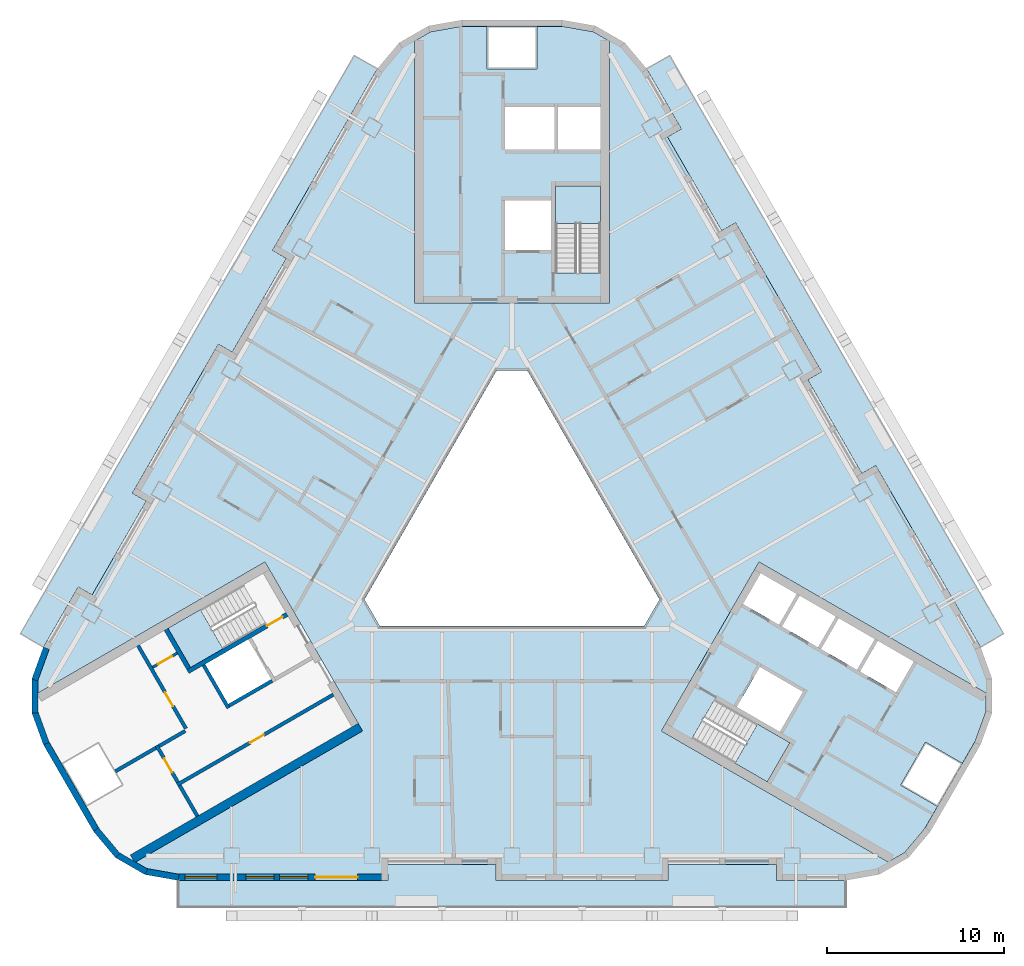
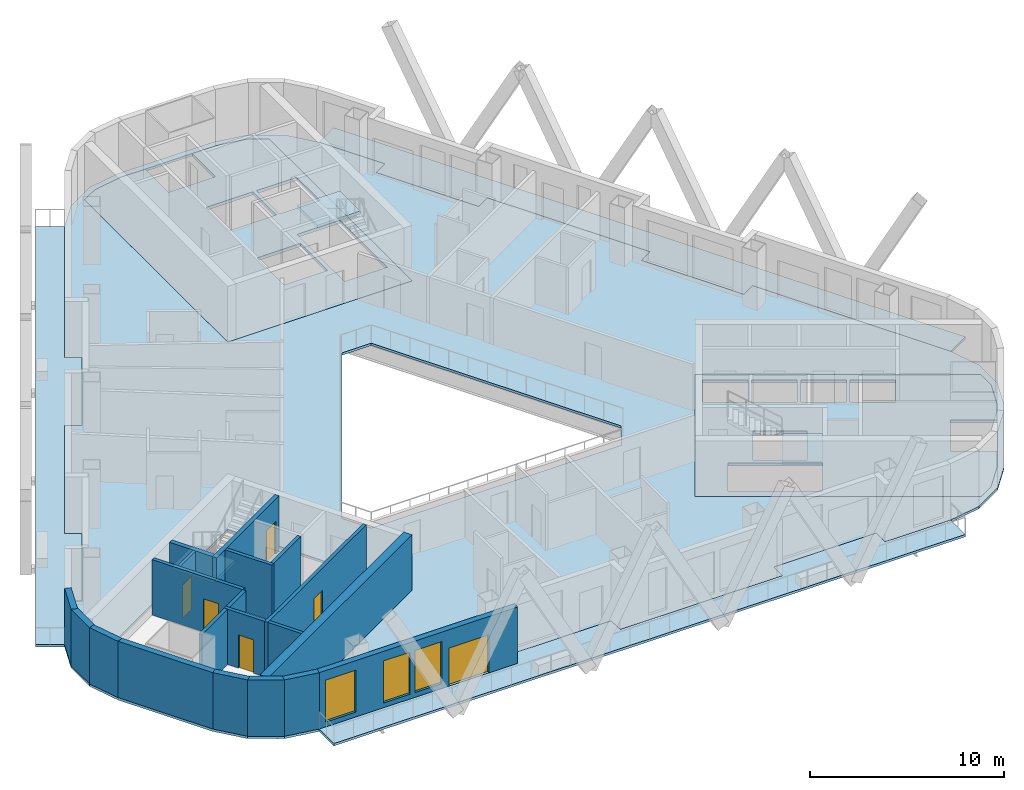
# One storey, part 2 of 14: 20 walls, 9 slabs, 6 doors, 3 windows, 9 openings, 3 elements without a shape of their own.
"""IFC4 building model written with IfcOpenShell, lengths in metres."""

from ifc_helpers import new_model, si_unit, direction, frame, frame_2d, origin, place, context, subcontext, project, spatial, polyline, rectangle, outline, extrude, material, layer, layer_set, type_object, element, fill, aggregate, save


model = new_model("IFC4")

# Units and contexts
model_context = context("Model", 3, precision=1e-05, world=origin(), true_north=direction((0.0, 1.0)))
body_context = subcontext(model_context, "Body", "Model", "MODEL_VIEW")
ifc_project = project(units=[si_unit("LENGTHUNIT", "METRE"), si_unit("AREAUNIT", "SQUARE_METRE"), si_unit("VOLUMEUNIT", "CUBIC_METRE"), si_unit("PLANEANGLEUNIT", "RADIAN"), si_unit("MASSUNIT", "GRAM", prefix="KILO")], contexts=[model_context])

# Site, building, storey
site_placement = place(None, origin())
site = spatial("IfcSite", under=ifc_project, at=site_placement, CompositionType="ELEMENT")
building_placement = place(site_placement, origin())
building = spatial("IfcBuilding", under=site, at=building_placement, Name="Apuvela Tower Hotel", CompositionType="ELEMENT")
storey_placement = place(building_placement, frame((0.0, 0.0, 98.300048828125)))
storey = spatial("IfcBuildingStorey", under=building, at=storey_placement, Name="L22", CompositionType="ELEMENT", Elevation=98.300048828125)

# Slabs
ifc_material_1 = material(Name="Concrete C50/60", Category="concrete")
ifc_layer_1 = layer(ifc_material_1, 0.199951171875)
ifc_layer_set_1 = layer_set([ifc_layer_1], Name="COR-FLOOR-200")
slab_type_1 = type_object("IfcSlabType", Name="COR-FLOOR-200", PredefinedType="FLOOR", material=ifc_layer_set_1)
slab_1_placement = place(storey_placement, frame((0.0, 0.0, -0.199951171875)))
element("IfcSlab", 1, at=slab_1_placement, inside=storey, type_object=slab_type_1, Name="Core floor N", PredefinedType="FLOOR", context=body_context, shape_type="SweptSolid", body=[
    extrude(outline(polyline([(5.5, 27.668212890625), (4.588623046875, 28.1943359375), (2.85498046875, 28.5), (1.39990234375, 28.5), (1.39990234375, 26.10009765625), (-1.39990234375, 26.10009765625), (-1.39990234375, 28.5), (-2.85498046875, 28.5), (-4.588623046875, 28.1943359375), (-5.5, 27.668212890625), (-5.5, 12.89990234375), (5.5, 12.89990234375), (5.5, 27.668212890625)]), holes=[polyline([(5.0, 14.60595703125), (2.449951171875, 14.60595703125), (2.449951171875, 19.5), (5.0, 19.5), (5.0, 14.60595703125)]), polyline([(2.199951171875, 15.89990234375), (-0.39990234375, 15.89990234375), (-0.39990234375, 18.699951171875), (2.199951171875, 18.699951171875), (2.199951171875, 15.89990234375)]), polyline([(5.0, 21.550048828125), (2.60009765625, 21.550048828125), (2.60009765625, 23.949951171875), (5.0, 23.949951171875), (5.0, 21.550048828125)]), polyline([(2.39990234375, 21.550048828125), (-0.39990234375, 21.550048828125), (-0.39990234375, 23.949951171875), (2.39990234375, 23.949951171875), (2.39990234375, 21.550048828125)])]), origin(), (0.0, 0.0, 1.0), 0.199951171875),
])
slab_2_placement = place(storey_placement, frame((0.0, 0.0, -0.199951171875)))
element("IfcSlab", 2, at=slab_2_placement, inside=storey, type_object=slab_type_1, Name="Core floor SE", PredefinedType="FLOOR", context=body_context, shape_type="SweptSolid", body=[
    extrude(outline(polyline([(21.211181640625, -18.59716796875), (22.122802734375, -18.071044921875), (23.254150390625, -16.72265625), (23.981689453125, -15.46240234375), (21.9033203125, -14.262451171875), (23.30322265625, -11.837646484375), (25.381591796875, -13.03759765625), (26.109375, -11.77734375), (26.711181640625, -10.123291015625), (26.711181640625, -9.07080078125), (13.921630859375, -1.68701171875), (8.421630859375, -11.213134765625), (21.211181640625, -18.59716796875)]), holes=[polyline([(13.01806640625, -4.052001953125), (14.01806640625, -2.31982421875), (16.044677734375, -3.489990234375), (15.044677734375, -5.221923828125), (13.01806640625, -4.052001953125)]), polyline([(17.244384765625, -6.491943359375), (15.2177734375, -5.322021484375), (16.2177734375, -3.58984375), (18.244384765625, -4.760009765625), (17.244384765625, -6.491943359375)]), polyline([(14.387451171875, -14.080078125), (10.149169921875, -11.633056640625), (11.42431640625, -9.4248046875), (15.66259765625, -11.871826171875), (14.387451171875, -14.080078125)]), polyline([(12.669921875, -9.855224609375), (13.9697265625, -7.603515625), (16.394775390625, -9.003662109375), (15.0947265625, -11.25537109375), (12.669921875, -9.855224609375)]), polyline([(19.444091796875, -7.761962890625), (17.41748046875, -6.591796875), (18.41748046875, -4.85986328125), (20.444091796875, -6.02978515625), (19.444091796875, -7.761962890625)]), polyline([(21.643798828125, -9.031982421875), (19.6171875, -7.86181640625), (20.6171875, -6.1298828125), (22.643798828125, -7.2998046875), (21.643798828125, -9.031982421875)])]), origin(), (0.0, 0.0, 1.0), 0.199951171875),
])

# Stair, slab
stair_type = type_object("IfcStairType", Name="COR-STAIR-22R", PredefinedType="HALF_TURN_STAIR", material=ifc_material_1)
stair_1_placement = place(storey_placement, origin())
stair_1 = element("IfcStair", 3, at=stair_1_placement, inside=storey, type_object=stair_type, Name="L22 Exit stair ST1", PredefinedType="HALF_TURN_STAIR")
ifc_layer_2 = layer(ifc_material_1, 0.199951171875)
ifc_layer_set_2 = layer_set([ifc_layer_2], Name="COR-LANDING-200")
slab_type_2 = type_object("IfcSlabType", Name="COR-LANDING-200", PredefinedType="LANDING", material=ifc_layer_set_2)
slab_3_placement = place(storey_placement, frame((0.0, 0.0, 1.64990234375)))
slab_3 = element("IfcSlab", 4, at=slab_3_placement, type_object=slab_type_2, Name="ST1 landing 1", PredefinedType="LANDING", context=body_context, shape_type="SweptSolid", body=[
    extrude(outline(polyline([(5.0, 17.39404296875), (5.0, 19.5), (2.449951171875, 19.5), (2.449951171875, 17.39404296875), (5.0, 17.39404296875)])), origin(), (0.0, 0.0, 1.0), 0.199951171875),
])
aggregate(stair_1, [slab_3])

stair_2_placement = place(storey_placement, origin())
stair_2 = element("IfcStair", 5, at=stair_2_placement, inside=storey, type_object=stair_type, Name="L22 Exit stair ST2", PredefinedType="HALF_TURN_STAIR")
slab_4_placement = place(storey_placement, frame((0.0, 0.0, 1.64990234375)))
slab_4 = element("IfcSlab", 6, at=slab_4_placement, type_object=slab_type_2, Name="ST2 landing 1", PredefinedType="LANDING", context=body_context, shape_type="SweptSolid", body=[
    extrude(outline(polyline([(-17.563720703125, -4.366943359375), (-19.387451171875, -5.419921875), (-18.112548828125, -7.628173828125), (-16.28857421875, -6.5751953125), (-17.563720703125, -4.366943359375)])), origin(), (0.0, 0.0, 1.0), 0.199951171875),
])
aggregate(stair_2, [slab_4])

stair_3_placement = place(storey_placement, origin())
stair_3 = element("IfcStair", 7, at=stair_3_placement, inside=storey, type_object=stair_type, Name="L22 Exit stair ST3", PredefinedType="HALF_TURN_STAIR")
slab_5_placement = place(storey_placement, frame((0.0, 0.0, 1.64990234375)))
slab_5 = element("IfcSlab", 8, at=slab_5_placement, type_object=slab_type_2, Name="ST3 landing 1", PredefinedType="LANDING", context=body_context, shape_type="SweptSolid", body=[
    extrude(outline(polyline([(12.563720703125, -13.027099609375), (14.387451171875, -14.080078125), (15.66259765625, -11.871826171875), (13.838623046875, -10.81884765625), (12.563720703125, -13.027099609375)])), origin(), (0.0, 0.0, 1.0), 0.199951171875),
])
aggregate(stair_3, [slab_5])

# Slabs
ifc_material_2 = material(Name="Concrete C40/50, fair-faced", Category="concrete")
ifc_layer_3 = layer(ifc_material_2, 0.14990234375)
ifc_layer_set_3 = layer_set([ifc_layer_3], Name="ENV-BALCONY-150")
slab_type_3 = type_object("IfcSlabType", Name="ENV-BALCONY-150", PredefinedType="FLOOR", material=ifc_layer_set_3)
slab_6_placement = place(storey_placement, frame((0.0, 0.0, -0.150146484375)))
element("IfcSlab", 9, at=slab_6_placement, inside=storey, type_object=slab_type_3, Name="Balcony slab S L22", PredefinedType="FLOOR", context=body_context, shape_type="SweptSolid", body=[
    extrude(outline(polyline([(18.82080078125, -21.135009765625), (-18.82080078125, -21.135009765625), (-18.82080078125, -19.625), (-7.0048828125, -19.625), (-7.0048828125, -18.72509765625), (-0.89501953125, -18.72509765625), (-0.89501953125, -19.625), (8.794921875, -19.625), (8.794921875, -18.72509765625), (14.905029296875, -18.72509765625), (14.905029296875, -19.625), (18.82080078125, -19.625), (18.82080078125, -21.135009765625)])), origin(), (0.0, 0.0, 1.0), 0.150146484375),
])
slab_7_placement = place(storey_placement, frame((0.0, 0.0, -0.150146484375)))
element("IfcSlab", 10, at=slab_7_placement, inside=storey, type_object=slab_type_3, Name="Balcony slab NE L22", PredefinedType="FLOOR", context=body_context, shape_type="SweptSolid", body=[
    extrude(outline(polyline([(17.443359375, 9.037353515625), (12.598388671875, 17.42919921875), (11.81884765625, 16.979248046875), (8.763916015625, 22.2705078125), (9.543212890625, 22.720703125), (7.585205078125, 26.11181640625), (8.89306640625, 26.86669921875), (27.7138671875, -5.731689453125), (26.40625, -6.48681640625), (20.498291015625, 3.74609375), (19.71875, 3.2958984375), (16.663818359375, 8.58740234375), (17.443359375, 9.037353515625)])), origin(), (0.0, 0.0, 1.0), 0.150146484375),
])
slab_8_placement = place(storey_placement, frame((0.0, 0.0, -0.150146484375)))
element("IfcSlab", 11, at=slab_8_placement, inside=storey, type_object=slab_type_3, Name="Balcony slab NW L22", PredefinedType="FLOOR", context=body_context, shape_type="SweptSolid", body=[
    extrude(outline(polyline([(-27.7138671875, -5.731689453125), (-8.89306640625, 26.86669921875), (-7.585205078125, 26.11181640625), (-13.4931640625, 15.87890625), (-12.7138671875, 15.428955078125), (-15.768798828125, 10.1376953125), (-16.548095703125, 10.587646484375), (-21.393310546875, 2.19580078125), (-20.61376953125, 1.745849609375), (-23.668701171875, -3.545654296875), (-24.4482421875, -3.095703125), (-26.40625, -6.48681640625), (-27.7138671875, -5.731689453125)])), origin(), (0.0, 0.0, 1.0), 0.150146484375),
])
ifc_material_3 = material(Name="Concrete C35/45", Category="concrete")
ifc_layer_4 = layer(ifc_material_3, 0.14990234375)
ifc_layer_set_4 = layer_set([ifc_layer_4], Name="STR-SLAB 150 floor Concrete C35/45")
slab_type_4 = type_object("IfcSlabType", Name="STR-SLAB 150 floor Concrete C35/45", PredefinedType="FLOOR", material=ifc_layer_set_4)
slab_9_placement = place(storey_placement, frame((0.0, 0.0, -0.150146484375)))
element("IfcSlab", 12, at=slab_9_placement, inside=storey, type_object=slab_type_4, Name="Floor slab S4 L22", PredefinedType="FLOOR", context=body_context, shape_type="SweptSolid", body=[
    extrude(outline(polyline([(-6.3642578125, 27.5732421875), (-4.710205078125, 28.5283203125), (-2.8291015625, 28.860107421875), (2.8291015625, 28.860107421875), (4.710205078125, 28.5283203125), (6.3642578125, 27.5732421875), (7.59228515625, 26.110107421875), (9.550048828125, 22.71875), (8.770751953125, 22.268798828125), (11.82080078125, 16.986083984375), (12.60009765625, 17.43603515625), (17.4501953125, 9.035400390625), (16.670654296875, 8.58544921875), (19.720703125, 3.302734375), (20.5, 3.752685546875), (26.407958984375, -6.47998046875), (27.061279296875, -8.27490234375), (27.061279296875, -10.18505859375), (26.407958984375, -11.97998046875), (23.5791015625, -16.8798828125), (22.351318359375, -18.34326171875), (20.697021484375, -19.29833984375), (18.81591796875, -19.6298828125), (14.89990234375, -19.6298828125), (14.89990234375, -18.72998046875), (8.800048828125, -18.72998046875), (8.800048828125, -19.6298828125), (-0.89990234375, -19.6298828125), (-0.89990234375, -18.72998046875), (-7.0, -18.72998046875), (-7.0, -19.6298828125), (-18.81591796875, -19.6298828125), (-20.697021484375, -19.29833984375), (-22.351318359375, -18.34326171875), (-23.5791015625, -16.8798828125), (-26.407958984375, -11.97998046875), (-27.061279296875, -10.18505859375), (-27.061279296875, -8.27490234375), (-26.407958984375, -6.47998046875), (-24.4501953125, -3.088623046875), (-23.670654296875, -3.538818359375), (-20.62060546875, 1.743896484375), (-21.400146484375, 2.194091796875), (-16.550048828125, 10.594482421875), (-15.7705078125, 10.14453125), (-12.720703125, 15.42724609375), (-13.5, 15.877197265625), (-7.59228515625, 26.110107421875), (-6.3642578125, 27.5732421875)]), holes=[polyline([(0.865966796875, 9.10009765625), (-0.865966796875, 9.10009765625), (-8.313720703125, -3.800048828125), (-7.44775390625, -5.300048828125), (7.44775390625, -5.300048828125), (8.313720703125, -3.800048828125), (0.865966796875, 9.10009765625)]), polyline([(-5.5, 12.89990234375), (-5.5, 27.668212890625), (-4.588623046875, 28.1943359375), (-2.85498046875, 28.5), (2.85498046875, 28.5), (4.588623046875, 28.1943359375), (5.5, 27.668212890625), (5.5, 12.89990234375), (-5.5, 12.89990234375)]), polyline([(-8.421630859375, -11.213134765625), (-21.211181640625, -18.59716796875), (-22.122802734375, -18.071044921875), (-23.254150390625, -16.72265625), (-26.109375, -11.77734375), (-26.711181640625, -10.123291015625), (-26.711181640625, -9.07080078125), (-13.921630859375, -1.68701171875), (-8.421630859375, -11.213134765625)]), polyline([(13.921630859375, -1.68701171875), (26.711181640625, -9.07080078125), (26.711181640625, -10.123291015625), (26.109375, -11.77734375), (23.254150390625, -16.72265625), (22.122802734375, -18.071044921875), (21.211181640625, -18.59716796875), (8.421630859375, -11.213134765625), (13.921630859375, -1.68701171875)])]), origin(), (0.0, 0.0, 1.0), 0.150146484375),
])

# Wall
ifc_layer_5 = layer(ifc_material_1, 0.5)
ifc_layer_set_5 = layer_set([ifc_layer_5], Name="COR-WALL-CORE-500")
wall_type_1 = type_object("IfcWallType", Name="COR-WALL-CORE-500", PredefinedType="SHEAR", material=ifc_layer_set_5)
wall_1_placement = place(storey_placement, frame((-8.546630859375, -10.99658203125, 0.0), z_axis=(0.0, 0.0, 1.0), x_axis=(-0.866025009528, -0.500000682871, 0.0)))
element("IfcWall", 13, at=wall_1_placement, inside=storey, type_object=wall_type_1, Name="Core wall SW", PredefinedType="SHEAR", context=body_context, shape_type="SweptSolid", body=[
    extrude(rectangle(XDim=14.8369140625, YDim=0.5, at=frame_2d((7.41845703125, 0.0))), origin(), (0.0, 0.0, 1.0), 3.5),
])

# Wall, opening, door
ifc_material_4 = material(Name="Blockwork 150 mm plastered", Category="masonry")
ifc_layer_6 = layer(ifc_material_4, 0.14990234375)
ifc_layer_set_6 = layer_set([ifc_layer_6], Name="COR-WALL-PART-150")
wall_type_2 = type_object("IfcWallType", Name="COR-WALL-PART-150", PredefinedType="PARTITIONING", material=ifc_layer_set_6)
wall_2_placement = place(storey_placement, frame((-18.866455078125, -6.822265625, 0.0), z_axis=(0.0, 0.0, 1.0), x_axis=(-0.866028054938, -0.499995408039, 0.0)))
wall_2 = element("IfcWall", 14, at=wall_2_placement, inside=storey, type_object=wall_type_2, Name="Partition SW", PredefinedType="PARTITIONING", context=body_context, shape_type="SweptSolid", body=[
    extrude(rectangle(XDim=1.60009765625, YDim=0.14990234375, at=frame_2d((0.800048828125, 0.0))), origin(), (0.0, 0.0, 1.0), 3.5),
])
opening_1_placement = place(wall_2_placement, frame((0.35009765625, 0.0, 0.0)))
opening_1 = element("IfcOpeningElement", 15, at=opening_1_placement, cuts=wall_2, Name="Opening W-RD", PredefinedType="OPENING", context=body_context, shape_type="SweptSolid", body=[
    extrude(rectangle(XDim=0.89990234375, YDim=2.10009765625, at=frame_2d((0.449951171875, 1.050048828125))), frame((0.0, 0.0849609375, 0.0), z_axis=(0.0, -1.0, 0.0), x_axis=(1.0, 0.0, 0.0)), (0.0, 0.0, 1.0), 0.169921875),
])
ifc_material_5 = material(Name="Steel access door, powder coated", Category="steel")
door_type_1 = type_object("IfcDoorType", Name="COR-RD-900", OperationType="NOTDEFINED", PredefinedType="DOOR", material=ifc_material_5)
door_1_placement = place(opening_1_placement, frame((0.89990234375, 0.0, 0.0), z_axis=(0.0, 0.0, 1.0), x_axis=(-1.0, 0.0, 0.0)))
door_1 = element("IfcDoor", 16, at=door_1_placement, inside=storey, type_object=door_type_1, Name="Riser door W-RD", OperationType="SINGLE_SWING_RIGHT", OverallHeight=2.10009765625, OverallWidth=0.89990234375, PredefinedType="DOOR", context=body_context, shape_type="SweptSolid", body=[
    extrude(rectangle(XDim=0.89990234375, YDim=2.10009765625, at=frame_2d((0.449951171875, 1.050048828125))), frame((0.0, 0.02490234375, 0.0), z_axis=(0.0, -1.0, 0.0), x_axis=(1.0, 0.0, 0.0)), (0.0, 0.0, 1.0), 0.050048828125),
])
fill(opening_1, door_1)

ifc_material_6 = material(Name="Blockwork 200 mm plastered", Category="masonry")
ifc_layer_7 = layer(ifc_material_6, 0.199951171875)
ifc_layer_set_7 = layer_set([ifc_layer_7], Name="COR-WALL-PART-200")
wall_type_3 = type_object("IfcWallType", Name="COR-WALL-PART-200", PredefinedType="PARTITIONING", material=ifc_layer_set_7)
wall_3_placement = place(storey_placement, frame((-21.076171875, -6.39501953125, 0.0), z_axis=(0.0, 0.0, 1.0), x_axis=(0.50001468107, -0.866016927499, 0.0)))
wall_3 = element("IfcWall", 17, at=wall_3_placement, inside=storey, type_object=wall_type_3, Name="Partition SW", PredefinedType="PARTITIONING", context=body_context, shape_type="SweptSolid", body=[
    extrude(rectangle(XDim=5.399658203125, YDim=0.199951171875, at=frame_2d((2.69970703125, 0.0))), origin(), (0.0, 0.0, 1.0), 3.5),
])
opening_2_placement = place(wall_3_placement, frame((3.050048828125, 0.0, 0.0)))
opening_2 = element("IfcOpeningElement", 18, at=opening_2_placement, cuts=wall_3, Name="Opening W-RS1", PredefinedType="OPENING", context=body_context, shape_type="SweptSolid", body=[
    extrude(rectangle(XDim=0.89990234375, YDim=2.10009765625, at=frame_2d((0.449951171875, 1.050048828125))), frame((0.0, 0.10986328125, 0.0), z_axis=(0.0, -1.0, 0.0), x_axis=(1.0, 0.0, 0.0)), (0.0, 0.0, 1.0), 0.219970703125),
])
ifc_material_7 = material(Name="Steel fire door, powder coated", Category="steel")
door_type_2 = type_object("IfcDoorType", Name="COR-DR-900", OperationType="NOTDEFINED", PredefinedType="DOOR", material=ifc_material_7)
door_2_placement = place(opening_2_placement, frame((0.89990234375, 0.0, 0.0), z_axis=(0.0, 0.0, 1.0), x_axis=(-1.0, 0.0, 0.0)))
door_2 = element("IfcDoor", 19, at=door_2_placement, inside=storey, type_object=door_type_2, Name="Store door W-RS1", OperationType="SINGLE_SWING_LEFT", OverallHeight=2.10009765625, OverallWidth=0.89990234375, PredefinedType="DOOR", context=body_context, shape_type="SweptSolid", body=[
    extrude(rectangle(XDim=0.89990234375, YDim=2.10009765625, at=frame_2d((0.449951171875, 1.050048828125))), frame((0.0, 0.02490234375, 0.0), z_axis=(0.0, -1.0, 0.0), x_axis=(1.0, 0.0, 0.0)), (0.0, 0.0, 1.0), 0.050048828125),
])
fill(opening_2, door_2)

# Walls
ifc_layer_8 = layer(ifc_material_1, 0.199951171875)
ifc_layer_set_8 = layer_set([ifc_layer_8], Name="COR-WALL-SHAFT-200")
wall_type_4 = type_object("IfcWallType", Name="COR-WALL-SHAFT-200", PredefinedType="SHEAR", material=ifc_layer_set_8)
wall_4_placement = place(storey_placement, frame((-17.38134765625, -7.49462890625, 0.0), z_axis=(0.0, 0.0, 1.0), x_axis=(0.500011755427, -0.866018616679, 0.0)))
element("IfcWall", 20, at=wall_4_placement, inside=storey, type_object=wall_type_4, Name="Shaft wall SW", PredefinedType="SHEAR", context=body_context, shape_type="SweptSolid", body=[
    extrude(rectangle(XDim=2.80029296875, YDim=0.199951171875, at=frame_2d((1.400146484375, 0.0))), origin(), (0.0, 0.0, 1.0), 3.5),
])
wall_5_placement = place(storey_placement, frame((-13.519775390625, -8.383056640625, 0.0), z_axis=(0.0, 0.0, 1.0), x_axis=(-0.866034573852, -0.49998411664, 0.0)))
element("IfcWall", 21, at=wall_5_placement, inside=storey, type_object=wall_type_4, Name="Shaft wall SW", PredefinedType="SHEAR", context=body_context, shape_type="SweptSolid", body=[
    extrude(rectangle(XDim=2.7998046875, YDim=0.199951171875, at=frame_2d((1.39990234375, 0.0))), origin(), (0.0, 0.0, 1.0), 3.5),
])

# Wall, opening, door
wall_6_placement = place(storey_placement, frame((-10.068115234375, -9.16162109375, 0.0), z_axis=(0.0, 0.0, 1.0), x_axis=(-0.866032725843, -0.499987317609, 0.0)))
wall_6 = element("IfcWall", 22, at=wall_6_placement, inside=storey, type_object=wall_type_4, Name="Shaft wall SW", PredefinedType="SHEAR", context=body_context, shape_type="SweptSolid", body=[
    extrude(rectangle(XDim=10.159912109375, YDim=0.199951171875, at=frame_2d((5.080078125, 0.0))), origin(), (0.0, 0.0, 1.0), 3.5),
])
opening_3_placement = place(wall_6_placement, frame((4.530029296875, 0.0, 0.0)))
opening_3 = element("IfcOpeningElement", 23, at=opening_3_placement, cuts=wall_6, Name="Opening W-RE1", PredefinedType="OPENING", context=body_context, shape_type="SweptSolid", body=[
    extrude(rectangle(XDim=0.89990234375, YDim=2.10009765625, at=frame_2d((0.449951171875, 1.050048828125))), frame((0.0, 0.10986328125, 0.0), z_axis=(0.0, -1.0, 0.0), x_axis=(1.0, 0.0, 0.0)), (0.0, 0.0, 1.0), 0.219970703125),
])
door_3_placement = place(opening_3_placement, origin())
door_3 = element("IfcDoor", 24, at=door_3_placement, inside=storey, type_object=door_type_2, Name="Store door W-RE1", OperationType="SINGLE_SWING_LEFT", OverallHeight=2.10009765625, OverallWidth=0.89990234375, PredefinedType="DOOR", context=body_context, shape_type="SweptSolid", body=[
    extrude(rectangle(XDim=0.89990234375, YDim=2.10009765625, at=frame_2d((0.449951171875, 1.050048828125))), frame((0.0, 0.02490234375, 0.0), z_axis=(0.0, -1.0, 0.0), x_axis=(1.0, 0.0, 0.0)), (0.0, 0.0, 1.0), 0.050048828125),
])
fill(opening_3, door_3)

wall_7_placement = place(storey_placement, frame((-20.030517578125, -12.0263671875, 0.0), z_axis=(0.0, 0.0, 1.0), x_axis=(0.500033551112, -0.866006032174, 0.0)))
wall_7 = element("IfcWall", 25, at=wall_7_placement, inside=storey, type_object=wall_type_4, Name="Shaft wall SW", PredefinedType="SHEAR", context=body_context, shape_type="SweptSolid", body=[
    extrude(rectangle(XDim=2.400146484375, YDim=0.199951171875, at=frame_2d((1.2001953125, 0.0))), origin(), (0.0, 0.0, 1.0), 3.5),
])
opening_4_placement = place(wall_7_placement, frame((0.85009765625, 0.0, 0.0)))
opening_4 = element("IfcOpeningElement", 26, at=opening_4_placement, cuts=wall_7, Name="Opening W-REP", PredefinedType="OPENING", context=body_context, shape_type="SweptSolid", body=[
    extrude(rectangle(XDim=0.89990234375, YDim=2.10009765625, at=frame_2d((0.449951171875, 1.050048828125))), frame((0.0, 0.10986328125, 0.0), z_axis=(0.0, -1.0, 0.0), x_axis=(1.0, 0.0, 0.0)), (0.0, 0.0, 1.0), 0.219970703125),
])
door_4_placement = place(opening_4_placement, frame((0.89990234375, 0.0, 0.0), z_axis=(0.0, 0.0, 1.0), x_axis=(-1.0, 0.0, 0.0)))
door_4 = element("IfcDoor", 27, at=door_4_placement, inside=storey, type_object=door_type_2, Name="Store door W-REP", OperationType="SINGLE_SWING_LEFT", OverallHeight=2.10009765625, OverallWidth=0.89990234375, PredefinedType="DOOR", context=body_context, shape_type="SweptSolid", body=[
    extrude(rectangle(XDim=0.89990234375, YDim=2.10009765625, at=frame_2d((0.449951171875, 1.050048828125))), frame((0.0, 0.02490234375, 0.0), z_axis=(0.0, -1.0, 0.0), x_axis=(1.0, 0.0, 0.0)), (0.0, 0.0, 1.0), 0.050048828125),
])
fill(opening_4, door_4)

# Walls
wall_8_placement = place(storey_placement, frame((-18.412841796875, -11.2080078125, 0.0), z_axis=(0.0, 0.0, 1.0), x_axis=(-0.866038183914, -0.499977863513, 0.0)))
element("IfcWall", 28, at=wall_8_placement, inside=storey, type_object=wall_type_4, Name="Shaft wall SW", PredefinedType="SHEAR", context=body_context, shape_type="SweptSolid", body=[
    extrude(rectangle(XDim=1.7099609375, YDim=0.199951171875, at=frame_2d((0.85498046875, 0.0))), origin(), (0.0, 0.0, 1.0), 3.5),
])
wall_9_placement = place(storey_placement, frame((-18.73046875, -14.278076171875, 0.0), z_axis=(0.0, 0.0, 1.0), x_axis=(0.50002537861, -0.866010750942, 0.0)))
element("IfcWall", 29, at=wall_9_placement, inside=storey, type_object=wall_type_4, Name="Shaft wall SW", PredefinedType="SHEAR", context=body_context, shape_type="SweptSolid", body=[
    extrude(rectangle(XDim=2.0, YDim=0.199951171875, at=frame_2d((1.0, 0.0))), origin(), (0.0, 0.0, 1.0), 3.5),
])
wall_10_placement = place(storey_placement, frame((-20.06689453125, -12.1630859375, 0.0), z_axis=(0.0, 0.0, 1.0), x_axis=(-0.866060851709, -0.499938597367, 0.0)))
element("IfcWall", 30, at=wall_10_placement, inside=storey, type_object=wall_type_4, Name="Shaft wall SW", PredefinedType="SHEAR", context=body_context, shape_type="SweptSolid", body=[
    extrude(rectangle(XDim=2.639892578125, YDim=0.199951171875, at=frame_2d((1.31982421875, 0.0))), origin(), (0.0, 0.0, 1.0), 3.5),
])

# Wall, opening, door
ifc_layer_9 = layer(ifc_material_1, 0.25)
ifc_layer_set_9 = layer_set([ifc_layer_9], Name="COR-WALL-STAIR-250")
wall_type_5 = type_object("IfcWallType", Name="COR-WALL-STAIR-250", PredefinedType="SHEAR", material=ifc_layer_set_9)
wall_11_placement = place(storey_placement, frame((-12.6806640625, -4.636474609375, 0.0), z_axis=(0.0, 0.0, 1.0), x_axis=(-0.866021702275, -0.500006411147, 0.0)))
wall_11 = element("IfcWall", 31, at=wall_11_placement, inside=storey, type_object=wall_type_5, Name="Stair wall SW", PredefinedType="SHEAR", context=body_context, shape_type="SweptSolid", body=[
    extrude(rectangle(XDim=6.4501953125, YDim=0.25, at=frame_2d((3.22509765625, 0.0))), origin(), (0.0, 0.0, 1.0), 3.5),
])
opening_5_placement = place(wall_11_placement, frame((0.300048828125, 0.0, 0.0)))
opening_5 = element("IfcOpeningElement", 32, at=opening_5_placement, cuts=wall_11, Name="Opening W-SD", PredefinedType="OPENING", context=body_context, shape_type="SweptSolid", body=[
    extrude(rectangle(XDim=1.0, YDim=2.10009765625, at=frame_2d((0.5, 1.050048828125))), frame((0.0, 0.135009765625, 0.0), z_axis=(0.0, -1.0, 0.0), x_axis=(1.0, 0.0, 0.0)), (0.0, 0.0, 1.0), 0.27001953125),
])
door_type_3 = type_object("IfcDoorType", Name="COR-SD-1000", OperationType="NOTDEFINED", PredefinedType="DOOR", material=ifc_material_7)
door_5_placement = place(opening_5_placement, frame((1.0, 0.0, 0.0), z_axis=(0.0, 0.0, 1.0), x_axis=(-1.0, 0.0, 0.0)))
door_5 = element("IfcDoor", 33, at=door_5_placement, inside=storey, type_object=door_type_3, Name="Stair door W-SD", OperationType="SINGLE_SWING_LEFT", OverallHeight=2.10009765625, OverallWidth=1.0, PredefinedType="DOOR", context=body_context, shape_type="SweptSolid", body=[
    extrude(rectangle(XDim=1.0, YDim=2.10009765625, at=frame_2d((0.5, 1.050048828125))), frame((0.0, 0.02490234375, 0.0), z_axis=(0.0, -1.0, 0.0), x_axis=(1.0, 0.0, 0.0)), (0.0, 0.0, 1.0), 0.050048828125),
])
fill(opening_5, door_5)

# Walls
wall_12_placement = place(storey_placement, frame((-19.49560546875, -5.482421875, 0.0), z_axis=(0.0, 0.0, 1.0), x_axis=(0.499990435942, -0.866030925526, 0.0)))
element("IfcWall", 34, at=wall_12_placement, inside=storey, type_object=wall_type_5, Name="Stair wall SW", PredefinedType="SHEAR", context=body_context, shape_type="SweptSolid", body=[
    extrude(rectangle(XDim=2.5498046875, YDim=0.25, at=frame_2d((1.27490234375, 0.0))), origin(), (0.0, 0.0, 1.0), 3.5),
])
ifc_material_8 = material(Name="Concrete C40/50, dark pigmented precast panel", Category="concrete")
ifc_layer_10 = layer(ifc_material_8, 0.35009765625)
ifc_layer_set_10 = layer_set([ifc_layer_10], Name="ENV-WALL-350")
wall_type_6 = type_object("IfcWallType", Name="ENV-WALL-350", PredefinedType="SOLIDWALL", material=ifc_layer_set_10)
for number, where, z_axis, x_axis, name in (
    (35, (-26.24365234375, -6.539794921875, 0.0), (0.0, 0.0, 1.0), (-0.342030395486, -0.939688889242, 0.0), "External wall L22-10"),
    (36, (-26.88623046875, -8.27490234375, 0.0), (0.0, 0.0, 1.0), (0.0, -1.0, 0.0), "External wall L22-11"),
    (37, (-26.89697265625, -10.125244140625, 0.0), (0.0, 0.0, 1.0), (0.342030395486, -0.939688889242, 0.0), "External wall L22-12"),
):
    element("IfcWall", number, at=place(storey_placement, frame(where, z_axis=z_axis, x_axis=x_axis)), inside=storey, type_object=wall_type_6, Name=name, PredefinedType="SOLIDWALL", context=body_context, shape_type="SweptSolid", body=[
        extrude(rectangle(XDim=1.91015625, YDim=0.35009765625, at=frame_2d((0.955078125, 0.0))), origin(), (0.0, 0.0, 1.0), 3.550048828125),
    ])
wall_13_placement = place(storey_placement, frame((-26.256591796875, -11.892578125, 0.0), z_axis=(0.0, 0.0, 1.0), x_axis=(0.500018773155, -0.866014564827, 0.0)))
element("IfcWall", 38, at=wall_13_placement, inside=storey, type_object=wall_type_6, Name="External wall L22-13", PredefinedType="SOLIDWALL", context=body_context, shape_type="SweptSolid", body=[
    extrude(rectangle(XDim=5.657958984375, YDim=0.35009765625, at=frame_2d((2.8291015625, 0.0))), origin(), (0.0, 0.0, 1.0), 3.550048828125),
])
for number, where, z_axis, x_axis, name in (
    (39, (-23.44482421875, -16.767578125, 0.0), (0.0, 0.0, 1.0), (0.642733291068, -0.76609001857, 0.0), "External wall L22-14"),
    (40, (-22.263671875, -18.191650390625, 0.0), (0.0, 0.0, 1.0), (0.866000389056, -0.500043324278, 0.0), "External wall L22-15"),
):
    element("IfcWall", number, at=place(storey_placement, frame(where, z_axis=z_axis, x_axis=x_axis)), inside=storey, type_object=wall_type_6, Name=name, PredefinedType="SOLIDWALL", context=body_context, shape_type="SweptSolid", body=[
        extrude(rectangle(XDim=1.909912109375, YDim=0.35009765625, at=frame_2d((0.955078125, 0.0))), origin(), (0.0, 0.0, 1.0), 3.550048828125),
    ])
wall_14_placement = place(storey_placement, frame((-20.66650390625, -19.1259765625, 0.0), z_axis=(0.0, 0.0, 1.0), x_axis=(0.984798995425, -0.173697837091, 0.0)))
element("IfcWall", 41, at=wall_14_placement, inside=storey, type_object=wall_type_6, Name="External wall L22-16", PredefinedType="SOLIDWALL", context=body_context, shape_type="SweptSolid", body=[
    extrude(rectangle(XDim=1.91015625, YDim=0.35009765625, at=frame_2d((0.955078125, 0.0))), origin(), (0.0, 0.0, 1.0), 3.550048828125),
])

# Wall, openings, door, windows
wall_15_placement = place(storey_placement, frame((-18.81591796875, -19.455078125, 0.0), z_axis=(0.0, 0.0, 1.0), x_axis=(1.0, 0.0, 0.0)))
wall_15 = element("IfcWall", 42, at=wall_15_placement, inside=storey, type_object=wall_type_6, Name="External wall L22-17", PredefinedType="SOLIDWALL", context=body_context, shape_type="SweptSolid", body=[
    extrude(rectangle(XDim=11.81591796875, YDim=0.35009765625, at=frame_2d((5.907958984375, 0.0))), origin(), (0.0, 0.0, 1.0), 3.550048828125),
])
opening_6_placement = place(wall_15_placement, frame((0.380615234375, 0.0, 0.300048828125)))
opening_6 = element("IfcOpeningElement", 43, at=opening_6_placement, cuts=wall_15, Name="Opening WN18", PredefinedType="OPENING", context=body_context, shape_type="SweptSolid", body=[
    extrude(rectangle(XDim=1.800048828125, YDim=2.64990234375, at=frame_2d((0.89990234375, 1.324951171875))), frame((0.0, 0.18505859375, 0.0), z_axis=(0.0, -1.0, 0.0), x_axis=(1.0, 0.0, 0.0)), (0.0, 0.0, 1.0), 0.3701171875),
])
opening_7_placement = place(wall_15_placement, frame((7.71630859375, 0.0, 0.0)))
opening_7 = element("IfcOpeningElement", 44, at=opening_7_placement, cuts=wall_15, Name="Opening BD24", PredefinedType="OPENING", context=body_context, shape_type="SweptSolid", body=[
    extrude(rectangle(XDim=2.39990234375, YDim=2.39990234375, at=frame_2d((1.199951171875, 1.199951171875))), frame((0.0, 0.18505859375, 0.0), z_axis=(0.0, -1.0, 0.0), x_axis=(1.0, 0.0, 0.0)), (0.0, 0.0, 1.0), 0.3701171875),
])
opening_8_placement = place(wall_15_placement, frame((3.816162109375, 0.0, 0.300048828125)))
opening_8 = element("IfcOpeningElement", 45, at=opening_8_placement, cuts=wall_15, Name="Opening WN16", PredefinedType="OPENING", context=body_context, shape_type="SweptSolid", body=[
    extrude(rectangle(XDim=1.60009765625, YDim=2.64990234375, at=frame_2d((0.800048828125, 1.324951171875))), frame((0.0, 0.18505859375, 0.0), z_axis=(0.0, -1.0, 0.0), x_axis=(1.0, 0.0, 0.0)), (0.0, 0.0, 1.0), 0.3701171875),
])
opening_9_placement = place(wall_15_placement, frame((5.71630859375, 0.0, 0.300048828125)))
opening_9 = element("IfcOpeningElement", 46, at=opening_9_placement, cuts=wall_15, Name="Opening WN16", PredefinedType="OPENING", context=body_context, shape_type="SweptSolid", body=[
    extrude(rectangle(XDim=1.60009765625, YDim=2.64990234375, at=frame_2d((0.800048828125, 1.324951171875))), frame((0.0, 0.18505859375, 0.0), z_axis=(0.0, -1.0, 0.0), x_axis=(1.0, 0.0, 0.0)), (0.0, 0.0, 1.0), 0.3701171875),
])
ifc_material_9 = material(Name="Aluminium 6063-T6, dark bronze anodised frame with dark tinted laminated glass", Category="aluminium")
door_type_4 = type_object("IfcDoorType", Name="ENV-DOOR-BALCONY-2400x2400", OperationType="SLIDING_TO_LEFT", PredefinedType="DOOR", material=ifc_material_9)
door_6_placement = place(opening_7_placement, frame((2.39990234375, 0.0, 0.0), z_axis=(0.0, 0.0, 1.0), x_axis=(-1.0, 0.0, 0.0)))
door_6 = element("IfcDoor", 47, at=door_6_placement, inside=storey, type_object=door_type_4, Name="Balcony door BD24", OperationType="SLIDING_TO_LEFT", OverallHeight=2.39990234375, OverallWidth=2.39990234375, PredefinedType="DOOR", context=body_context, shape_type="SweptSolid", body=[
    extrude(rectangle(XDim=2.39990234375, YDim=2.39990234375, at=frame_2d((1.199951171875, 1.199951171875))), frame((0.0, 0.02490234375, 0.0), z_axis=(0.0, -1.0, 0.0), x_axis=(1.0, 0.0, 0.0)), (0.0, 0.0, 1.0), 0.050048828125),
])
fill(opening_7, door_6)
ifc_material_10 = material(Name="Glass, dark tinted laminated insulated glazing unit", Category="glass")
window_type_1 = type_object("IfcWindowType", Name="ENV-WIN-1600x2650", PartitioningType="SINGLE_PANEL", PredefinedType="WINDOW", material=ifc_material_10)
window_1_placement = place(opening_8_placement, origin())
window_1 = element("IfcWindow", 48, at=window_1_placement, inside=storey, type_object=window_type_1, Name="Window WN16", OverallHeight=2.64990234375, OverallWidth=1.60009765625, PartitioningType="SINGLE_PANEL", PredefinedType="WINDOW", context=body_context, shape_type="SweptSolid", body=[
    extrude(rectangle(XDim=1.60009765625, YDim=2.64990234375, at=frame_2d((0.800048828125, 1.324951171875))), frame((0.0, 0.030029296875, 0.0), z_axis=(0.0, -1.0, 0.0), x_axis=(1.0, 0.0, 0.0)), (0.0, 0.0, 1.0), 0.06005859375),
])
fill(opening_8, window_1)
window_2_placement = place(opening_9_placement, origin())
window_2 = element("IfcWindow", 49, at=window_2_placement, inside=storey, type_object=window_type_1, Name="Window WN16", OverallHeight=2.64990234375, OverallWidth=1.60009765625, PartitioningType="SINGLE_PANEL", PredefinedType="WINDOW", context=body_context, shape_type="SweptSolid", body=[
    extrude(rectangle(XDim=1.60009765625, YDim=2.64990234375, at=frame_2d((0.800048828125, 1.324951171875))), frame((0.0, 0.030029296875, 0.0), z_axis=(0.0, -1.0, 0.0), x_axis=(1.0, 0.0, 0.0)), (0.0, 0.0, 1.0), 0.06005859375),
])
fill(opening_9, window_2)
window_type_2 = type_object("IfcWindowType", Name="ENV-WIN-1800x2650", PartitioningType="SINGLE_PANEL", PredefinedType="WINDOW", material=ifc_material_10)
window_3_placement = place(opening_6_placement, origin())
window_3 = element("IfcWindow", 50, at=window_3_placement, inside=storey, type_object=window_type_2, Name="Window WN18", OverallHeight=2.64990234375, OverallWidth=1.800048828125, PartitioningType="SINGLE_PANEL", PredefinedType="WINDOW", context=body_context, shape_type="SweptSolid", body=[
    extrude(rectangle(XDim=1.800048828125, YDim=2.64990234375, at=frame_2d((0.89990234375, 1.324951171875))), frame((0.0, 0.030029296875, 0.0), z_axis=(0.0, -1.0, 0.0), x_axis=(1.0, 0.0, 0.0)), (0.0, 0.0, 1.0), 0.06005859375),
])
fill(opening_6, window_3)

save(model, "model.ifc")
